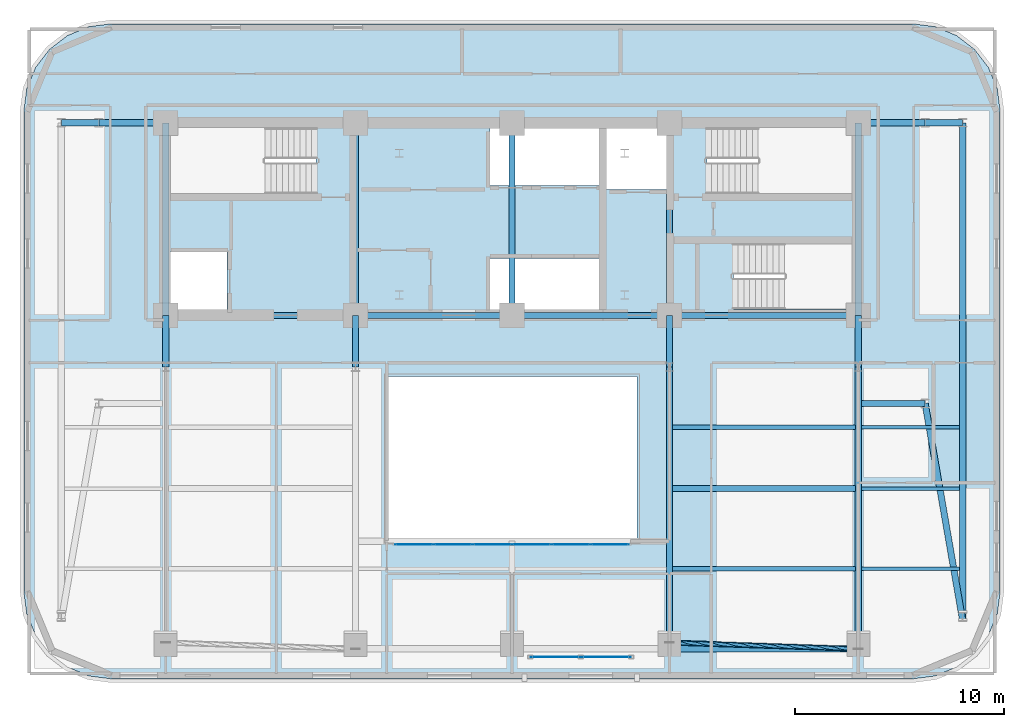
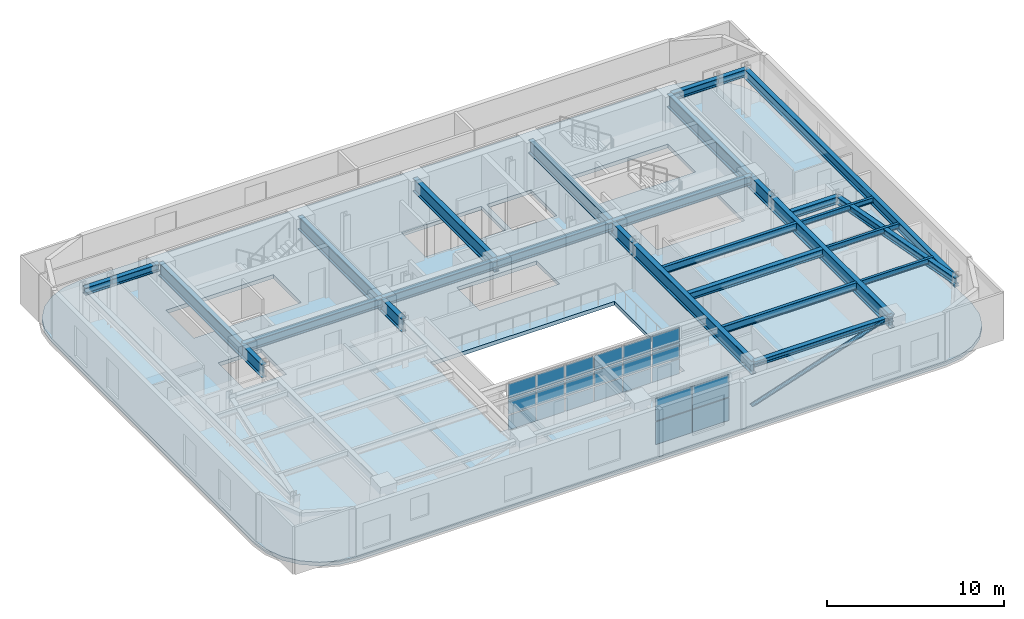
# One storey, part 3 of 12: 29 beams, 22 plates, 1 member, 1 slab, 2 elements without a shape of their own.
"""IFC4 building model written with IfcOpenShell, lengths in metres."""

import ifcopenshell
import ifcopenshell.guid

model = None  # the IFC model being written
_history = None  # IfcOwnerHistory: only IFC2X3 demands one
_inside = {}  # id of a spatial element -> (the spatial element, [elements in it])
_under = {}  # id of a project, library or spatial element -> (it, [spatial elements below it])
_declared = {}  # id of a project -> (the project, [libraries it declares])
_typed = {}  # id of a type object -> (the type object, [elements of that type])
_made_of = {}  # id of a material, layer set ... -> (it, [elements and type objects made of it])


def new_model(schema):
    """Start an empty IFC model of exactly this schema.

    Asked for "IFC4X3", IfcOpenShell would pick the latest addendum, in which some entities
    have other attributes; the version numbers below select the first issue.
    IFC2X3 requires an IfcOwnerHistory on every rooted entity: one is made here for all.
    """
    global model, _history
    if schema == "IFC4X3":
        model = ifcopenshell.file(schema_version=(4, 3, 0, 0))
    else:
        model = ifcopenshell.file(schema=schema)
    _inside.clear()
    _under.clear()
    _declared.clear()
    _typed.clear()
    _made_of.clear()
    _history = None
    if model.schema == "IFC2X3":
        org = make("IfcOrganization", Name="unknown")
        user = make(
            "IfcPersonAndOrganization",
            ThePerson=make("IfcPerson", FamilyName="unknown"),
            TheOrganization=org,
        )
        app = make(
            "IfcApplication",
            ApplicationDeveloper=org,
            Version="unknown",
            ApplicationFullName="unknown",
            ApplicationIdentifier="unknown",
        )
        _history = make(
            "IfcOwnerHistory",
            OwningUser=user,
            OwningApplication=app,
            ChangeAction="ADDED",
            CreationDate=0,
        )
    return model


def make(cls, **values):
    """One entity of the class cls with the attributes given. An attribute that is None is left unset."""
    return model.create_entity(
        cls, **{name: value for name, value in values.items() if value is not None}
    )


def rooted(cls, **values):
    """An entity with a GlobalId (a new one), such as an element, a storey or a relation."""
    return make(cls, GlobalId=ifcopenshell.guid.new(), OwnerHistory=_history, **values)


def si_unit(unit_type, name, prefix=None):
    """IfcSIUnit, for example si_unit("LENGTHUNIT", "METRE", prefix="MILLI")."""
    return make("IfcSIUnit", UnitType=unit_type, Prefix=prefix, Name=name)


def assignment(units):
    """IfcUnitAssignment: the units of a project."""
    return None if units is None else make("IfcUnitAssignment", Units=units)


def point(xyz):
    """IfcCartesianPoint."""
    return None if xyz is None else make("IfcCartesianPoint", Coordinates=xyz)


def direction(xyz):
    """IfcDirection."""
    return None if xyz is None else make("IfcDirection", DirectionRatios=xyz)


def frame(location, z_axis=None, x_axis=None):
    """IfcAxis2Placement3D, a coordinate frame: its origin and axes. An axis left out is left unset."""
    return make(
        "IfcAxis2Placement3D",
        Location=point(location),
        Axis=direction(z_axis),
        RefDirection=direction(x_axis),
    )


def frame_2d(location, x_axis=None):
    """IfcAxis2Placement2D, a coordinate frame in the plane: its origin and x axis."""
    return make(
        "IfcAxis2Placement2D", Location=point(location), RefDirection=direction(x_axis)
    )


def origin():
    """The frame at (0, 0, 0) with its axes left unset."""
    return frame((0.0, 0.0, 0.0))


def origin_2d():
    """The frame at (0, 0) in the plane with its x axis left unset."""
    return frame_2d((0.0, 0.0))


def place(relative_to, where):
    """IfcLocalPlacement: puts the frame where relative to a parent placement (None: the world)."""
    return make(
        "IfcLocalPlacement", PlacementRelTo=relative_to, RelativePlacement=where
    )


def context(
    kind, dimensions, precision=None, world=None, true_north=None, identifier=None
):
    """IfcGeometricRepresentationContext, for example the 3D "Model" context."""
    return make(
        "IfcGeometricRepresentationContext",
        ContextIdentifier=identifier,
        ContextType=kind,
        CoordinateSpaceDimension=dimensions,
        Precision=precision,
        WorldCoordinateSystem=world,
        TrueNorth=true_north,
    )


def subcontext(parent, identifier, kind, view, scale=None):
    """IfcGeometricRepresentationSubContext, for example "Body" below "Model"."""
    return make(
        "IfcGeometricRepresentationSubContext",
        ContextIdentifier=identifier,
        ContextType=kind,
        ParentContext=parent,
        TargetScale=scale,
        TargetView=view,
    )


def project(units=None, contexts=None):
    """IfcProject with its units and contexts."""
    return rooted(
        "IfcProject",
        Name="project",
        RepresentationContexts=contexts,
        UnitsInContext=assignment(units),
    )


def spatial(cls, under=None, at=None, **own):
    """A site, building, storey or space (cls), placed at a placement, below another one or the project."""
    s = rooted(cls, ObjectPlacement=at, **own)
    if under is not None:
        _under.setdefault(under.id(), (under, []))[1].append(s)
    return s


def polyline(points):
    """IfcPolyline through the points."""
    return make("IfcPolyline", Points=[point(p) for p in points])


def profile(cls, at=None, kind="AREA", **sizes):
    """A parametric profile (cls). Its sizes go by their IFC names, for example OverallWidth=200.0."""
    return make(cls, ProfileType=kind, Position=at, **sizes)


def rectangle(**sizes):
    """IfcRectangleProfileDef."""
    return profile("IfcRectangleProfileDef", **sizes)


def hollow_circle(**sizes):
    """IfcCircleHollowProfileDef."""
    return profile("IfcCircleHollowProfileDef", **sizes)


def i_section(**sizes):
    """IfcIShapeProfileDef."""
    return profile("IfcIShapeProfileDef", **sizes)


def outline(outer, holes=None, kind="AREA"):
    """IfcArbitraryClosedProfileDef: a profile drawn as a closed curve; with holes, ...WithVoids."""
    if holes is None:
        return make("IfcArbitraryClosedProfileDef", ProfileType=kind, OuterCurve=outer)
    return make(
        "IfcArbitraryProfileDefWithVoids",
        ProfileType=kind,
        OuterCurve=outer,
        InnerCurves=holes,
    )


def extrude(swept, where, along, depth):
    """IfcExtrudedAreaSolid: the profile swept, set in the frame where, extruded along a direction by depth."""
    return make(
        "IfcExtrudedAreaSolid",
        SweptArea=swept,
        Position=where,
        ExtrudedDirection=direction(along),
        Depth=depth,
    )


def shape(context_of_items, identifier, shape_type, items):
    """IfcShapeRepresentation: the items that make up one representation, for example the "Body"."""
    return make(
        "IfcShapeRepresentation",
        ContextOfItems=context_of_items,
        RepresentationIdentifier=identifier,
        RepresentationType=shape_type,
        Items=items,
    )


def material(Name=None, Category=None):
    """IfcMaterial."""
    return make("IfcMaterial", Name=Name, Category=Category)


def layer(
    of_material, thickness, ventilated=None, Name=None, Category=None, Priority=None
):
    """IfcMaterialLayer: one layer of a wall or slab, of a material (None: an air gap)."""
    return make(
        "IfcMaterialLayer",
        Material=of_material,
        LayerThickness=thickness,
        IsVentilated=ventilated,
        Name=Name,
        Category=Category,
        Priority=Priority,
    )


def layer_set(layers, Name=None):
    """IfcMaterialLayerSet."""
    return make("IfcMaterialLayerSet", MaterialLayers=layers, LayerSetName=Name)


def material_profile(
    of_material, cross_section, Name=None, Category=None, Priority=None
):
    """IfcMaterialProfile: a cross section and its material."""
    return make(
        "IfcMaterialProfile",
        Name=Name,
        Material=of_material,
        Profile=cross_section,
        Priority=Priority,
        Category=Category,
    )


def profile_set(profiles, Name=None, composite=None):
    """IfcMaterialProfileSet."""
    return make(
        "IfcMaterialProfileSet",
        Name=Name,
        MaterialProfiles=profiles,
        CompositeProfile=composite,
    )


def made_of(thing, what):
    """Note that an element or type object is made of a material, layer set ...; save() writes the relation."""
    if what is not None:
        _made_of.setdefault(what.id(), (what, []))[1].append(thing)
    return thing


def type_object(cls, material=None, **own):
    """A type object (cls), such as IfcWallType, which elements share."""
    return made_of(rooted(cls, **own), material)


def element(
    cls,
    number,
    at=None,
    inside=None,
    cuts=None,
    type_object=None,
    material=None,
    context=None,
    identifier="Body",
    shape_type=None,
    held_by="IfcProductDefinitionShape",
    body=None,
    shapes=None,
    **own,
):
    """One element of the class cls, such as IfcWall. Its Tag is "e" and its number.

    at: its placement. inside: the storey or other place that contains it. cuts: it is an
    opening in that element (IfcRelVoidsElement). A single representation is given by context,
    identifier, shape_type and body (its items); several are given by shapes. held_by: the class
    of the entity that holds the representations. save() writes the other relations.
    """
    e = rooted(cls, Tag="e%d" % number, ObjectPlacement=at, **own)
    if body is not None:
        shapes = [shape(context, identifier, shape_type, body)]
    if shapes is not None:
        e.Representation = make(held_by, Representations=shapes)
    if inside is not None:
        _inside.setdefault(inside.id(), (inside, []))[1].append(e)
    if cuts is not None:
        rooted(
            "IfcRelVoidsElement", RelatingBuildingElement=cuts, RelatedOpeningElement=e
        )
    if type_object is not None:
        _typed.setdefault(type_object.id(), (type_object, []))[1].append(e)
    return made_of(e, material)


def aggregate(whole, parts):
    """IfcRelAggregates: a whole, such as a stair, and the parts it consists of."""
    return rooted("IfcRelAggregates", RelatingObject=whole, RelatedObjects=parts)


def save(model, path):
    """Write the relations noted so far, then the file.

    IfcRelAggregates (storeys below a building ...), IfcRelContainedInSpatialStructure (elements
    in a storey), IfcRelDefinesByType, IfcRelAssociatesMaterial and IfcRelDeclares: one each for
    every whole, place, type object, material and project.
    """
    for whole, parts in _under.values():
        aggregate(whole, parts)
    for where, things in _inside.values():
        rooted(
            "IfcRelContainedInSpatialStructure",
            RelatedElements=things,
            RelatingStructure=where,
        )
    for kind, things in _typed.values():
        rooted("IfcRelDefinesByType", RelatedObjects=things, RelatingType=kind)
    for what, things in _made_of.values():
        rooted("IfcRelAssociatesMaterial", RelatedObjects=things, RelatingMaterial=what)
    for by, libraries in _declared.values():
        rooted("IfcRelDeclares", RelatingContext=by, RelatedDefinitions=libraries)
    model.write(path)


model = new_model("IFC4")

# Units and contexts
model_context = context("Model", 3, precision=1e-05, world=origin(), true_north=direction((0.0, 1.0)))
body_context = subcontext(model_context, "Body", "Model", "MODEL_VIEW")
ifc_project = project(units=[si_unit("LENGTHUNIT", "METRE"), si_unit("AREAUNIT", "SQUARE_METRE"), si_unit("VOLUMEUNIT", "CUBIC_METRE"), si_unit("PLANEANGLEUNIT", "RADIAN"), si_unit("MASSUNIT", "GRAM", prefix="KILO")], contexts=[model_context])

# Site, building, storey
site_placement = place(None, origin())
site = spatial("IfcSite", under=ifc_project, at=site_placement, CompositionType="ELEMENT")
building_placement = place(site_placement, origin())
building = spatial("IfcBuilding", under=site, at=building_placement, Name="Zarnavel Station Tower", CompositionType="ELEMENT")
storey_placement = place(building_placement, frame((0.0, 0.0, 155.449951171875)))
storey = spatial("IfcBuildingStorey", under=building, at=storey_placement, Name="L42", CompositionType="ELEMENT", Elevation=155.449951171875)

# Member
ifc_material_1 = material(Name="Steel S355J2", Category="steel")
ifc_material_profile_1 = material_profile(ifc_material_1, hollow_circle(Radius=0.122314453125, WallThickness=0.010009765625, at=origin_2d()), Name="CHS244.5x10")
ifc_profile_set_1 = profile_set([ifc_material_profile_1], Name="Steel S355J2")
member_type = type_object("IfcMemberType", Name="DB_EXT_CHS245", PredefinedType="BRACE", material=ifc_profile_set_1)
member_placement = place(storey_placement, frame((36.35009765625, 12.14111328125, 0.0), z_axis=(0.939370056938, -0.030942344867, 0.341506174795), x_axis=(0.032921607344, 0.999457936969, 0.0)))
element("IfcMember", 1, at=member_placement, inside=storey, type_object=member_type, Name="L42 Persian Exterior Diagonal Frame Brace 2", PredefinedType="BRACE", context=body_context, shape_type="SweptSolid", body=[
    extrude(hollow_circle(Radius=0.122314453125, WallThickness=0.010009765625, at=origin_2d()), origin(), (0.0, 0.0, 1.0), 9.6337890625),
])

# Beams
ifc_material_2 = material(Name="Steel S355J2", Category="steel")
ifc_material_profile_2 = material_profile(ifc_material_2, i_section(OverallWidth=0.300048828125, OverallDepth=0.360107421875, WebThickness=0.012451171875, FlangeThickness=0.0224609375, FilletRadius=0.027099609375, at=origin_2d()), Name="HEB360")
ifc_profile_set_2 = profile_set([ifc_material_profile_2], Name="Steel S355J2")
beam_type_1 = type_object("IfcBeamType", Name="EB_HEB360", PredefinedType="SPANDREL", material=ifc_profile_set_2)
beam_1_placement = place(storey_placement, frame((36.35009765625, 11.843017578125, 3.110107421875), z_axis=(1.0, 0.0, 0.0), x_axis=(0.0, 1.0, 0.0)))
element("IfcBeam", 2, at=beam_1_placement, inside=storey, type_object=beam_type_1, Name="L42 South Raked Spandrel 4", PredefinedType="SPANDREL", context=body_context, shape_type="SweptSolid", body=[
    extrude(i_section(OverallWidth=0.300048828125, OverallDepth=0.360107421875, WebThickness=0.012451171875, FlangeThickness=0.0224609375, FilletRadius=0.027099609375, at=origin_2d()), origin(), (0.0, 0.0, 1.0), 9.0498046875),
])
ifc_material_3 = material(Name="Steel S355J2", Category="steel")
ifc_material_profile_3 = material_profile(ifc_material_3, i_section(OverallWidth=0.300048828125, OverallDepth=0.489990234375, WebThickness=0.011962890625, FlangeThickness=0.02294921875, FilletRadius=0.027099609375, at=origin_2d()), Name="HEA500")
ifc_profile_set_3 = profile_set([ifc_material_profile_3], Name="Steel S355J2")
beam_type_2 = type_object("IfcBeamType", Name="FB_HEA500", PredefinedType="BEAM", material=ifc_profile_set_3)
beam_2_placement = place(storey_placement, frame((36.4951171875, 19.521484375, 3.045166015625), z_axis=(1.0, 0.0, 0.0), x_axis=(0.0, 1.0, 0.0)))
element("IfcBeam", 3, at=beam_2_placement, inside=storey, type_object=beam_type_2, Name="L42 East Bay Beam 2", PredefinedType="BEAM", context=body_context, shape_type="SweptSolid", body=[
    extrude(i_section(OverallWidth=0.300048828125, OverallDepth=0.489990234375, WebThickness=0.011962890625, FlangeThickness=0.02294921875, FilletRadius=0.027099609375, at=origin_2d()), origin(), (0.0, 0.0, 1.0), 8.759765625),
])
ifc_material_4 = material(Name="Steel S355J2", Category="steel")
ifc_material_profile_4 = material_profile(ifc_material_4, i_section(OverallWidth=0.199951171875, OverallDepth=0.5, WebThickness=0.01025390625, FlangeThickness=0.01611328125, FilletRadius=0.02099609375, at=origin_2d()), Name="IPE500")
ifc_profile_set_4 = profile_set([ifc_material_profile_4], Name="Steel S355J2")
beam_type_3 = type_object("IfcBeamType", Name="FB_IPE500", PredefinedType="BEAM", material=ifc_profile_set_4)
for number, where, z_axis, x_axis, name in (
    (4, (36.4951171875, 15.68212890625, 3.0400390625), (1.0, 0.0, 0.0), (0.0, 1.0, 0.0), "L42 East Bay Beam 1"),
    (5, (36.4951171875, 22.460693359375, 3.0400390625), (1.0, 0.0, 0.0), (0.0, 1.0, 0.0), "L42 East Bay Beam 3"),
):
    element("IfcBeam", number, at=place(storey_placement, frame(where, z_axis=z_axis, x_axis=x_axis)), inside=storey, type_object=beam_type_3, Name=name, PredefinedType="BEAM", context=body_context, shape_type="SweptSolid", body=[
        extrude(i_section(OverallWidth=0.199951171875, OverallDepth=0.5, WebThickness=0.01025390625, FlangeThickness=0.01611328125, FilletRadius=0.02099609375, at=origin_2d()), origin(), (0.0, 0.0, 1.0), 8.759765625),
    ])
ifc_material_5 = material(Name="Steel S355J2", Category="steel")
ifc_material_profile_5 = material_profile(ifc_material_5, i_section(OverallWidth=0.300048828125, OverallDepth=0.5, WebThickness=0.014404296875, FlangeThickness=0.028076171875, FilletRadius=0.027099609375, at=origin_2d()), Name="HEB500")
ifc_profile_set_5 = profile_set([ifc_material_profile_5], Name="Steel S355J2")
beam_type_4 = type_object("IfcBeamType", Name="FG_HEB500", PredefinedType="USERDEFINED", material=ifc_profile_set_5)
beam_3_placement = place(storey_placement, frame((7.199951171875, 37.050048828125, 3.0400390625), z_axis=(1.0, 0.0, 0.0), x_axis=(0.0, 1.0, 0.0)))
element("IfcBeam", 6, at=beam_3_placement, inside=storey, type_object=beam_type_4, Name="L42 West Wing North Tie 1", ObjectType="GIRDER", PredefinedType="USERDEFINED", context=body_context, shape_type="SweptSolid", body=[
    extrude(i_section(OverallWidth=0.300048828125, OverallDepth=0.5, WebThickness=0.014404296875, FlangeThickness=0.028076171875, FilletRadius=0.027099609375, at=origin_2d()), origin(), (0.0, 0.0, 1.0), 1.800048828125),
])
beam_4_placement = place(storey_placement, frame((9.0, 37.050048828125, 3.0400390625), z_axis=(1.0, 0.0, 0.0), x_axis=(0.0, 1.0, 0.0)))
element("IfcBeam", 7, at=beam_4_placement, inside=storey, type_object=beam_type_4, Name="L42 West Wing North Tie 2", ObjectType="GIRDER", PredefinedType="USERDEFINED", context=body_context, shape_type="SweptSolid", body=[
    extrude(i_section(OverallWidth=0.300048828125, OverallDepth=0.5, WebThickness=0.014404296875, FlangeThickness=0.028076171875, FilletRadius=0.027099609375, at=origin_2d()), origin(), (0.0, 0.0, 1.0), 3.054931640625),
])
for number, where, z_axis, x_axis, name in (
    (8, (45.544921875, 23.60009765625, 3.0400390625), (1.0, 0.0, 0.0), (0.0, 1.0, 0.0), "L42 East Wing South Tie 1"),
    (9, (45.544921875, 37.050048828125, 3.0400390625), (1.0, 0.0, 0.0), (0.0, 1.0, 0.0), "L42 East Wing North Tie 1"),
):
    element("IfcBeam", number, at=place(storey_placement, frame(where, z_axis=z_axis, x_axis=x_axis)), inside=storey, type_object=beam_type_4, Name=name, ObjectType="GIRDER", PredefinedType="USERDEFINED", context=body_context, shape_type="SweptSolid", body=[
        extrude(i_section(OverallWidth=0.300048828125, OverallDepth=0.5, WebThickness=0.014404296875, FlangeThickness=0.028076171875, FilletRadius=0.027099609375, at=origin_2d()), origin(), (0.0, 0.0, 1.0), 3.05517578125),
    ])
beam_5_placement = place(storey_placement, frame((48.60009765625, 23.60009765625, 3.0400390625), z_axis=(0.170544457334, -0.98534998253, 0.0), x_axis=(0.98534998253, 0.170544457334, 0.0)))
element("IfcBeam", 10, at=beam_5_placement, inside=storey, type_object=beam_type_4, Name="L42 East Wing South Tie 2", ObjectType="GIRDER", PredefinedType="USERDEFINED", context=body_context, shape_type="SweptSolid", body=[
    extrude(i_section(OverallWidth=0.300048828125, OverallDepth=0.5, WebThickness=0.014404296875, FlangeThickness=0.028076171875, FilletRadius=0.027099609375, at=origin_2d()), origin(), (0.0, 0.0, 1.0), 10.55322265625),
])
beam_6_placement = place(storey_placement, frame((48.60009765625, 37.050048828125, 3.0400390625), z_axis=(1.0, 0.0, 0.0), x_axis=(0.0, 1.0, 0.0)))
element("IfcBeam", 11, at=beam_6_placement, inside=storey, type_object=beam_type_4, Name="L42 East Wing North Tie 2", ObjectType="GIRDER", PredefinedType="USERDEFINED", context=body_context, shape_type="SweptSolid", body=[
    extrude(i_section(OverallWidth=0.300048828125, OverallDepth=0.5, WebThickness=0.014404296875, FlangeThickness=0.028076171875, FilletRadius=0.027099609375, at=origin_2d()), origin(), (0.0, 0.0, 1.0), 1.7998046875),
])
ifc_material_6 = material(Name="Steel S355J2", Category="steel")
ifc_material_profile_6 = material_profile(ifc_material_6, i_section(OverallWidth=0.300048828125, OverallDepth=0.60009765625, WebThickness=0.015380859375, FlangeThickness=0.030029296875, FilletRadius=0.027099609375, at=origin_2d()), Name="HEB600")
ifc_profile_set_6 = profile_set([ifc_material_profile_6], Name="Steel S355J2")
beam_type_5 = type_object("IfcBeamType", Name="FG_HEB600", PredefinedType="USERDEFINED", material=ifc_profile_set_6)
beam_7_placement = place(storey_placement, frame((12.199951171875, 27.820068359375, 2.989990234375), z_axis=(1.0, 0.0, 0.0), x_axis=(0.0, 1.0, 0.0)))
element("IfcBeam", 12, at=beam_7_placement, inside=storey, type_object=beam_type_5, Name="L42 Core Front Coupling Beam 1", ObjectType="GIRDER", PredefinedType="USERDEFINED", context=body_context, shape_type="SweptSolid", body=[
    extrude(i_section(OverallWidth=0.300048828125, OverallDepth=0.60009765625, WebThickness=0.015380859375, FlangeThickness=0.030029296875, FilletRadius=0.027099609375, at=origin_2d()), origin(), (0.0, 0.0, 1.0), 9.10009765625),
])
beam_8_placement = place(storey_placement, frame((21.300048828125, 27.820068359375, 2.989990234375), z_axis=(1.0, 0.0, 0.0), x_axis=(0.0, 1.0, 0.0)))
element("IfcBeam", 13, at=beam_8_placement, inside=storey, type_object=beam_type_5, Name="L42 Core Front Coupling Beam 2", ObjectType="GIRDER", PredefinedType="USERDEFINED", context=body_context, shape_type="SweptSolid", body=[
    extrude(i_section(OverallWidth=0.300048828125, OverallDepth=0.60009765625, WebThickness=0.015380859375, FlangeThickness=0.030029296875, FilletRadius=0.027099609375, at=origin_2d()), origin(), (0.0, 0.0, 1.0), 7.5),
])
beam_9_placement = place(storey_placement, frame((28.800048828125, 27.820068359375, 2.989990234375), z_axis=(1.0, 0.0, 0.0), x_axis=(0.0, 1.0, 0.0)))
element("IfcBeam", 14, at=beam_9_placement, inside=storey, type_object=beam_type_5, Name="L42 Core Front Coupling Beam 3", ObjectType="GIRDER", PredefinedType="USERDEFINED", context=body_context, shape_type="SweptSolid", body=[
    extrude(i_section(OverallWidth=0.300048828125, OverallDepth=0.60009765625, WebThickness=0.015380859375, FlangeThickness=0.030029296875, FilletRadius=0.027099609375, at=origin_2d()), origin(), (0.0, 0.0, 1.0), 7.550048828125),
])
beam_10_placement = place(storey_placement, frame((36.35009765625, 27.820068359375, 2.989990234375), z_axis=(1.0, 0.0, 0.0), x_axis=(0.0, 1.0, 0.0)))
element("IfcBeam", 15, at=beam_10_placement, inside=storey, type_object=beam_type_5, Name="L42 Core Front Coupling Beam 4", ObjectType="GIRDER", PredefinedType="USERDEFINED", context=body_context, shape_type="SweptSolid", body=[
    extrude(i_section(OverallWidth=0.300048828125, OverallDepth=0.60009765625, WebThickness=0.015380859375, FlangeThickness=0.030029296875, FilletRadius=0.027099609375, at=origin_2d()), origin(), (0.0, 0.0, 1.0), 9.0498046875),
])
ifc_material_7 = material(Name="Steel S355J2", Category="steel")
ifc_material_profile_7 = material_profile(ifc_material_7, i_section(OverallWidth=0.300048828125, OverallDepth=0.64990234375, WebThickness=0.01611328125, FlangeThickness=0.031005859375, FilletRadius=0.027099609375, at=origin_2d()), Name="HEB650")
ifc_profile_set_7 = profile_set([ifc_material_profile_7], Name="Steel S355J2")
beam_type_6 = type_object("IfcBeamType", Name="FG_HEB650", PredefinedType="USERDEFINED", material=ifc_profile_set_7)
beam_11_placement = place(storey_placement, frame((50.39990234375, 13.201416015625, 2.965087890625), z_axis=(0.0, 1.0, 0.0), x_axis=(-1.0, 0.0, 0.0)))
element("IfcBeam", 16, at=beam_11_placement, inside=storey, type_object=beam_type_6, Name="L42 Wing NS Girder 2", ObjectType="GIRDER", PredefinedType="USERDEFINED", context=body_context, shape_type="SweptSolid", body=[
    extrude(i_section(OverallWidth=0.300048828125, OverallDepth=0.64990234375, WebThickness=0.01611328125, FlangeThickness=0.031005859375, FilletRadius=0.027099609375, at=origin_2d()), origin(), (0.0, 0.0, 1.0), 23.8486328125),
])
ifc_material_8 = material(Name="Steel S355J2", Category="steel")
ifc_material_profile_8 = material_profile(ifc_material_8, i_section(OverallWidth=0.169921875, OverallDepth=0.360107421875, WebThickness=0.008056640625, FlangeThickness=0.0126953125, FilletRadius=0.01806640625, at=origin_2d()), Name="IPE360")
ifc_profile_set_8 = profile_set([ifc_material_profile_8], Name="Steel S355J2")
beam_type_7 = type_object("IfcBeamType", Name="FJ_IPE360", PredefinedType="JOIST", material=ifc_profile_set_8)
for number, where, z_axis, x_axis, name in (
    (17, (45.544921875, 15.68212890625, 3.110107421875), (1.0, 0.0, 0.0), (0.0, 1.0, 0.0), "L42 East Wing Joist 1"),
    (18, (45.544921875, 19.521484375, 3.110107421875), (1.0, 0.0, 0.0), (0.0, 1.0, 0.0), "L42 East Wing Joist 2"),
    (19, (45.544921875, 22.460693359375, 3.110107421875), (1.0, 0.0, 0.0), (0.0, 1.0, 0.0), "L42 East Wing Joist 3"),
):
    element("IfcBeam", number, at=place(storey_placement, frame(where, z_axis=z_axis, x_axis=x_axis)), inside=storey, type_object=beam_type_7, Name=name, PredefinedType="JOIST", context=body_context, shape_type="SweptSolid", body=[
        extrude(i_section(OverallWidth=0.169921875, OverallDepth=0.360107421875, WebThickness=0.008056640625, FlangeThickness=0.0126953125, FilletRadius=0.01806640625, at=origin_2d()), origin(), (0.0, 0.0, 1.0), 4.7099609375),
    ])
ifc_material_9 = material(Name="Steel S460M", Category="steel")
ifc_material_profile_9 = material_profile(ifc_material_9, i_section(OverallWidth=0.302001953125, OverallDepth=0.909912109375, WebThickness=0.02099609375, FlangeThickness=0.0400390625, FilletRadius=0.030029296875, at=origin_2d()), Name="HEM900")
ifc_profile_set_9 = profile_set([ifc_material_profile_9], Name="Steel S460M")
beam_type_8 = type_object("IfcBeamType", Name="TG_HEM900", PredefinedType="USERDEFINED", material=ifc_profile_set_9)
for number, where, z_axis, x_axis, name in (
    (20, (12.199951171875, 27.820068359375, 2.8349609375), (0.0, 1.0, 0.0), (-1.0, 0.0, 0.0), "L42 Core Spine Coupling Girder 1"),
    (21, (21.300048828125, 27.820068359375, 2.8349609375), (0.0, 1.0, 0.0), (-1.0, 0.0, 0.0), "L42 Core Spine Coupling Girder 2"),
    (22, (28.800048828125, 27.820068359375, 2.8349609375), (0.0, 1.0, 0.0), (-1.0, 0.0, 0.0), "L42 Core Spine Coupling Girder 3"),
    (23, (36.35009765625, 27.820068359375, 2.8349609375), (0.0, 1.0, 0.0), (-1.0, 0.0, 0.0), "L42 Core Spine Coupling Girder 4"),
    (24, (45.39990234375, 27.820068359375, 2.8349609375), (0.0, 1.0, 0.0), (-1.0, 0.0, 0.0), "L42 Core Spine Coupling Girder 5"),
):
    element("IfcBeam", number, at=place(storey_placement, frame(where, z_axis=z_axis, x_axis=x_axis)), inside=storey, type_object=beam_type_8, Name=name, ObjectType="GIRDER", PredefinedType="USERDEFINED", context=body_context, shape_type="SweptSolid", body=[
        extrude(i_section(OverallWidth=0.302001953125, OverallDepth=0.909912109375, WebThickness=0.02099609375, FlangeThickness=0.0400390625, FilletRadius=0.030029296875, at=origin_2d()), origin(), (0.0, 0.0, 1.0), 9.22998046875),
    ])
for number, where, z_axis, x_axis, name in (
    (25, (12.199951171875, 25.35009765625, 2.8349609375), (0.0, 1.0, 0.0), (-1.0, 0.0, 0.0), "L42 Inner-Zone NS Girder 1"),
    (26, (21.300048828125, 25.35009765625, 2.8349609375), (0.0, 1.0, 0.0), (-1.0, 0.0, 0.0), "L42 Inner-Zone NS Girder 2"),
):
    element("IfcBeam", number, at=place(storey_placement, frame(where, z_axis=z_axis, x_axis=x_axis)), inside=storey, type_object=beam_type_8, Name=name, ObjectType="GIRDER", PredefinedType="USERDEFINED", context=body_context, shape_type="SweptSolid", body=[
        extrude(i_section(OverallWidth=0.302001953125, OverallDepth=0.909912109375, WebThickness=0.02099609375, FlangeThickness=0.0400390625, FilletRadius=0.030029296875, at=origin_2d()), origin(), (0.0, 0.0, 1.0), 2.469970703125),
    ])
beam_12_placement = place(storey_placement, frame((36.35009765625, 11.843017578125, 2.8349609375), z_axis=(0.0, 1.0, 0.0), x_axis=(-1.0, 0.0, 0.0)))
element("IfcBeam", 27, at=beam_12_placement, inside=storey, type_object=beam_type_8, Name="L42 South-Zone NS Girder 4", ObjectType="GIRDER", PredefinedType="USERDEFINED", context=body_context, shape_type="SweptSolid", body=[
    extrude(i_section(OverallWidth=0.302001953125, OverallDepth=0.909912109375, WebThickness=0.02099609375, FlangeThickness=0.0400390625, FilletRadius=0.030029296875, at=origin_2d()), origin(), (0.0, 0.0, 1.0), 13.507080078125),
])
beam_13_placement = place(storey_placement, frame((36.35009765625, 25.35009765625, 2.8349609375), z_axis=(0.0, 1.0, 0.0), x_axis=(-1.0, 0.0, 0.0)))
element("IfcBeam", 28, at=beam_13_placement, inside=storey, type_object=beam_type_8, Name="L42 Inner-Zone NS Girder 4", ObjectType="GIRDER", PredefinedType="USERDEFINED", context=body_context, shape_type="SweptSolid", body=[
    extrude(i_section(OverallWidth=0.302001953125, OverallDepth=0.909912109375, WebThickness=0.02099609375, FlangeThickness=0.0400390625, FilletRadius=0.030029296875, at=origin_2d()), origin(), (0.0, 0.0, 1.0), 2.469970703125),
])
beam_14_placement = place(storey_placement, frame((45.39990234375, 11.843017578125, 2.8349609375), z_axis=(0.0, 1.0, 0.0), x_axis=(-1.0, 0.0, 0.0)))
element("IfcBeam", 29, at=beam_14_placement, inside=storey, type_object=beam_type_8, Name="L42 South-Zone NS Girder 5", ObjectType="GIRDER", PredefinedType="USERDEFINED", context=body_context, shape_type="SweptSolid", body=[
    extrude(i_section(OverallWidth=0.302001953125, OverallDepth=0.909912109375, WebThickness=0.02099609375, FlangeThickness=0.0400390625, FilletRadius=0.030029296875, at=origin_2d()), origin(), (0.0, 0.0, 1.0), 13.507080078125),
])
beam_15_placement = place(storey_placement, frame((45.39990234375, 25.35009765625, 2.8349609375), z_axis=(0.0, 1.0, 0.0), x_axis=(-1.0, 0.0, 0.0)))
element("IfcBeam", 30, at=beam_15_placement, inside=storey, type_object=beam_type_8, Name="L42 Inner-Zone NS Girder 5", ObjectType="GIRDER", PredefinedType="USERDEFINED", context=body_context, shape_type="SweptSolid", body=[
    extrude(i_section(OverallWidth=0.302001953125, OverallDepth=0.909912109375, WebThickness=0.02099609375, FlangeThickness=0.0400390625, FilletRadius=0.030029296875, at=origin_2d()), origin(), (0.0, 0.0, 1.0), 2.469970703125),
])

# Curtain wall, plates
ifc_material_10 = material(Name="Aluminium Dark Anodised and Solar-Control Glass", Category="aluminium")
ifc_layer_1 = layer(ifc_material_10, 0.179931640625)
ifc_layer_set_1 = layer_set([ifc_layer_1], Name="CWS4")
curtain_wall_type_1 = type_object("IfcCurtainWallType", Name="CWS4", PredefinedType="NOTDEFINED", material=ifc_layer_set_1)
curtain_wall_1_placement = place(storey_placement, origin())
curtain_wall_1 = element("IfcCurtainWall", 31, at=curtain_wall_1_placement, inside=storey, type_object=curtain_wall_type_1, Name="L42 Curtain Wall CWS4-L42-AS", PredefinedType="NOTDEFINED")
ifc_material_11 = material(Name="Double Low-E Dark Solar-Control Glass", Category="glass")
ifc_layer_2 = layer(ifc_material_11, 0.031982421875)
ifc_layer_set_2 = layer_set([ifc_layer_2], Name="CWS4_PNL")
plate_type_1 = type_object("IfcPlateType", Name="CWS4_PNL", PredefinedType="CURTAIN_PANEL", material=ifc_layer_set_2)
plate_1_placement = place(storey_placement, frame((24.106689453125, 16.85009765625, 0.06005859375), z_axis=(0.0, 0.0, 1.0), x_axis=(1.0, 0.0, 0.0)))
plate_1 = element("IfcPlate", 32, at=plate_1_placement, type_object=plate_type_1, Name="CW4 panel 1.1", PredefinedType="CURTAIN_PANEL", context=body_context, shape_type="SweptSolid", body=[
    extrude(rectangle(XDim=1.793212890625, YDim=0.028076171875, at=origin_2d()), origin(), (0.0, 0.0, 1.0), 1.006591796875),
])
plate_2_placement = place(storey_placement, frame((24.106689453125, 16.85009765625, 1.126708984375), z_axis=(0.0, 0.0, 1.0), x_axis=(1.0, 0.0, 0.0)))
plate_2 = element("IfcPlate", 33, at=plate_2_placement, type_object=plate_type_1, Name="CW4 panel 1.2", PredefinedType="CURTAIN_PANEL", context=body_context, shape_type="SweptSolid", body=[
    extrude(rectangle(XDim=1.793212890625, YDim=0.028076171875, at=origin_2d()), origin(), (0.0, 0.0, 1.0), 1.03662109375),
])
plate_3_placement = place(storey_placement, frame((24.106689453125, 16.85009765625, 2.2236328125), z_axis=(0.0, 0.0, 1.0), x_axis=(1.0, 0.0, 0.0)))
plate_3 = element("IfcPlate", 34, at=plate_3_placement, type_object=plate_type_1, Name="CW4 panel 1.3", PredefinedType="CURTAIN_PANEL", context=body_context, shape_type="SweptSolid", body=[
    extrude(rectangle(XDim=1.793212890625, YDim=0.028076171875, at=origin_2d()), origin(), (0.0, 0.0, 1.0), 1.006591796875),
])
plate_4_placement = place(storey_placement, frame((25.97509765625, 16.85009765625, 0.06005859375), z_axis=(0.0, 0.0, 1.0), x_axis=(1.0, 0.0, 0.0)))
plate_4 = element("IfcPlate", 35, at=plate_4_placement, type_object=plate_type_1, Name="CW4 panel 2.1", PredefinedType="CURTAIN_PANEL", context=body_context, shape_type="SweptSolid", body=[
    extrude(rectangle(XDim=1.8232421875, YDim=0.028076171875, at=origin_2d()), origin(), (0.0, 0.0, 1.0), 1.006591796875),
])
plate_5_placement = place(storey_placement, frame((25.97509765625, 16.85009765625, 1.126708984375), z_axis=(0.0, 0.0, 1.0), x_axis=(1.0, 0.0, 0.0)))
plate_5 = element("IfcPlate", 36, at=plate_5_placement, type_object=plate_type_1, Name="CW4 panel 2.2", PredefinedType="CURTAIN_PANEL", context=body_context, shape_type="SweptSolid", body=[
    extrude(rectangle(XDim=1.8232421875, YDim=0.028076171875, at=origin_2d()), origin(), (0.0, 0.0, 1.0), 1.03662109375),
])
plate_6_placement = place(storey_placement, frame((25.97509765625, 16.85009765625, 2.2236328125), z_axis=(0.0, 0.0, 1.0), x_axis=(1.0, 0.0, 0.0)))
plate_6 = element("IfcPlate", 37, at=plate_6_placement, type_object=plate_type_1, Name="CW4 panel 2.3", PredefinedType="CURTAIN_PANEL", context=body_context, shape_type="SweptSolid", body=[
    extrude(rectangle(XDim=1.8232421875, YDim=0.028076171875, at=origin_2d()), origin(), (0.0, 0.0, 1.0), 1.006591796875),
])
plate_7_placement = place(storey_placement, frame((27.8583984375, 16.85009765625, 0.06005859375), z_axis=(0.0, 0.0, 1.0), x_axis=(1.0, 0.0, 0.0)))
plate_7 = element("IfcPlate", 38, at=plate_7_placement, type_object=plate_type_1, Name="CW4 panel 3.1", PredefinedType="CURTAIN_PANEL", context=body_context, shape_type="SweptSolid", body=[
    extrude(rectangle(XDim=1.8232421875, YDim=0.028076171875, at=origin_2d()), origin(), (0.0, 0.0, 1.0), 1.006591796875),
])
plate_8_placement = place(storey_placement, frame((27.8583984375, 16.85009765625, 1.126708984375), z_axis=(0.0, 0.0, 1.0), x_axis=(1.0, 0.0, 0.0)))
plate_8 = element("IfcPlate", 39, at=plate_8_placement, type_object=plate_type_1, Name="CW4 panel 3.2", PredefinedType="CURTAIN_PANEL", context=body_context, shape_type="SweptSolid", body=[
    extrude(rectangle(XDim=1.8232421875, YDim=0.028076171875, at=origin_2d()), origin(), (0.0, 0.0, 1.0), 1.03662109375),
])
plate_9_placement = place(storey_placement, frame((27.8583984375, 16.85009765625, 2.2236328125), z_axis=(0.0, 0.0, 1.0), x_axis=(1.0, 0.0, 0.0)))
plate_9 = element("IfcPlate", 40, at=plate_9_placement, type_object=plate_type_1, Name="CW4 panel 3.3", PredefinedType="CURTAIN_PANEL", context=body_context, shape_type="SweptSolid", body=[
    extrude(rectangle(XDim=1.8232421875, YDim=0.028076171875, at=origin_2d()), origin(), (0.0, 0.0, 1.0), 1.006591796875),
])
plate_10_placement = place(storey_placement, frame((29.74169921875, 16.85009765625, 0.06005859375), z_axis=(0.0, 0.0, 1.0), x_axis=(1.0, 0.0, 0.0)))
plate_10 = element("IfcPlate", 41, at=plate_10_placement, type_object=plate_type_1, Name="CW4 panel 4.1", PredefinedType="CURTAIN_PANEL", context=body_context, shape_type="SweptSolid", body=[
    extrude(rectangle(XDim=1.8232421875, YDim=0.028076171875, at=origin_2d()), origin(), (0.0, 0.0, 1.0), 1.006591796875),
])
plate_11_placement = place(storey_placement, frame((29.74169921875, 16.85009765625, 1.126708984375), z_axis=(0.0, 0.0, 1.0), x_axis=(1.0, 0.0, 0.0)))
plate_11 = element("IfcPlate", 42, at=plate_11_placement, type_object=plate_type_1, Name="CW4 panel 4.2", PredefinedType="CURTAIN_PANEL", context=body_context, shape_type="SweptSolid", body=[
    extrude(rectangle(XDim=1.8232421875, YDim=0.028076171875, at=origin_2d()), origin(), (0.0, 0.0, 1.0), 1.03662109375),
])
plate_12_placement = place(storey_placement, frame((29.74169921875, 16.85009765625, 2.2236328125), z_axis=(0.0, 0.0, 1.0), x_axis=(1.0, 0.0, 0.0)))
plate_12 = element("IfcPlate", 43, at=plate_12_placement, type_object=plate_type_1, Name="CW4 panel 4.3", PredefinedType="CURTAIN_PANEL", context=body_context, shape_type="SweptSolid", body=[
    extrude(rectangle(XDim=1.8232421875, YDim=0.028076171875, at=origin_2d()), origin(), (0.0, 0.0, 1.0), 1.006591796875),
])
plate_13_placement = place(storey_placement, frame((31.625, 16.85009765625, 0.06005859375), z_axis=(0.0, 0.0, 1.0), x_axis=(1.0, 0.0, 0.0)))
plate_13 = element("IfcPlate", 44, at=plate_13_placement, type_object=plate_type_1, Name="CW4 panel 5.1", PredefinedType="CURTAIN_PANEL", context=body_context, shape_type="SweptSolid", body=[
    extrude(rectangle(XDim=1.8232421875, YDim=0.028076171875, at=origin_2d()), origin(), (0.0, 0.0, 1.0), 1.006591796875),
])
plate_14_placement = place(storey_placement, frame((31.625, 16.85009765625, 1.126708984375), z_axis=(0.0, 0.0, 1.0), x_axis=(1.0, 0.0, 0.0)))
plate_14 = element("IfcPlate", 45, at=plate_14_placement, type_object=plate_type_1, Name="CW4 panel 5.2", PredefinedType="CURTAIN_PANEL", context=body_context, shape_type="SweptSolid", body=[
    extrude(rectangle(XDim=1.8232421875, YDim=0.028076171875, at=origin_2d()), origin(), (0.0, 0.0, 1.0), 1.03662109375),
])
plate_15_placement = place(storey_placement, frame((31.625, 16.85009765625, 2.2236328125), z_axis=(0.0, 0.0, 1.0), x_axis=(1.0, 0.0, 0.0)))
plate_15 = element("IfcPlate", 46, at=plate_15_placement, type_object=plate_type_1, Name="CW4 panel 5.3", PredefinedType="CURTAIN_PANEL", context=body_context, shape_type="SweptSolid", body=[
    extrude(rectangle(XDim=1.8232421875, YDim=0.028076171875, at=origin_2d()), origin(), (0.0, 0.0, 1.0), 1.006591796875),
])
plate_16_placement = place(storey_placement, frame((33.493408203125, 16.85009765625, 0.06005859375), z_axis=(0.0, 0.0, 1.0), x_axis=(1.0, 0.0, 0.0)))
plate_16 = element("IfcPlate", 47, at=plate_16_placement, type_object=plate_type_1, Name="CW4 panel 6.1", PredefinedType="CURTAIN_PANEL", context=body_context, shape_type="SweptSolid", body=[
    extrude(rectangle(XDim=1.793212890625, YDim=0.028076171875, at=origin_2d()), origin(), (0.0, 0.0, 1.0), 1.006591796875),
])
plate_17_placement = place(storey_placement, frame((33.493408203125, 16.85009765625, 1.126708984375), z_axis=(0.0, 0.0, 1.0), x_axis=(1.0, 0.0, 0.0)))
plate_17 = element("IfcPlate", 48, at=plate_17_placement, type_object=plate_type_1, Name="CW4 panel 6.2", PredefinedType="CURTAIN_PANEL", context=body_context, shape_type="SweptSolid", body=[
    extrude(rectangle(XDim=1.793212890625, YDim=0.028076171875, at=origin_2d()), origin(), (0.0, 0.0, 1.0), 1.03662109375),
])
plate_18_placement = place(storey_placement, frame((33.493408203125, 16.85009765625, 2.2236328125), z_axis=(0.0, 0.0, 1.0), x_axis=(1.0, 0.0, 0.0)))
plate_18 = element("IfcPlate", 49, at=plate_18_placement, type_object=plate_type_1, Name="CW4 panel 6.3", PredefinedType="CURTAIN_PANEL", context=body_context, shape_type="SweptSolid", body=[
    extrude(rectangle(XDim=1.793212890625, YDim=0.028076171875, at=origin_2d()), origin(), (0.0, 0.0, 1.0), 1.006591796875),
])
aggregate(curtain_wall_1, [plate_1, plate_2, plate_3, plate_4, plate_5, plate_6, plate_7, plate_8, plate_9, plate_10, plate_11, plate_12, plate_13, plate_14, plate_15, plate_16, plate_17, plate_18])

ifc_material_12 = material(Name="Aluminium Dark Anodised and Solar-Control Glass", Category="aluminium")
ifc_layer_3 = layer(ifc_material_12, 0.179931640625)
ifc_layer_set_3 = layer_set([ifc_layer_3], Name="CWS6")
curtain_wall_type_2 = type_object("IfcCurtainWallType", Name="CWS6", PredefinedType="NOTDEFINED", material=ifc_layer_set_3)
curtain_wall_2_placement = place(storey_placement, origin())
curtain_wall_2 = element("IfcCurtainWall", 50, at=curtain_wall_2_placement, inside=storey, type_object=curtain_wall_type_2, Name="L42 Curtain Wall CWS6-LOG-L42", PredefinedType="NOTDEFINED")
ifc_material_13 = material(Name="Double Low-E Dark Solar-Control Glass", Category="glass")
ifc_layer_4 = layer(ifc_material_13, 0.0380859375)
ifc_layer_set_4 = layer_set([ifc_layer_4], Name="CWS6_PNL")
plate_type_2 = type_object("IfcPlateType", Name="CWS6_PNL", PredefinedType="CURTAIN_PANEL", material=ifc_layer_set_4)
plate_19_placement = place(storey_placement, frame((30.889892578125, 11.449951171875, 0.06005859375), z_axis=(0.0, 0.0, 1.0), x_axis=(1.0, 0.0, 0.0)))
plate_19 = element("IfcPlate", 51, at=plate_19_placement, type_object=plate_type_2, Name="CW6 panel 1.1", PredefinedType="CURTAIN_PANEL", context=body_context, shape_type="SweptSolid", body=[
    extrude(rectangle(XDim=2.360107421875, YDim=0.028076171875, at=origin_2d()), origin(), (0.0, 0.0, 1.0), 1.554931640625),
])
plate_20_placement = place(storey_placement, frame((30.889892578125, 11.449951171875, 1.67529296875), z_axis=(0.0, 0.0, 1.0), x_axis=(1.0, 0.0, 0.0)))
plate_20 = element("IfcPlate", 52, at=plate_20_placement, type_object=plate_type_2, Name="CW6 panel 1.2", PredefinedType="CURTAIN_PANEL", context=body_context, shape_type="SweptSolid", body=[
    extrude(rectangle(XDim=2.360107421875, YDim=0.028076171875, at=origin_2d()), origin(), (0.0, 0.0, 1.0), 1.554931640625),
])
plate_21_placement = place(storey_placement, frame((33.31005859375, 11.449951171875, 0.06005859375), z_axis=(0.0, 0.0, 1.0), x_axis=(1.0, 0.0, 0.0)))
plate_21 = element("IfcPlate", 53, at=plate_21_placement, type_object=plate_type_2, Name="CW6 panel 2.1", PredefinedType="CURTAIN_PANEL", context=body_context, shape_type="SweptSolid", body=[
    extrude(rectangle(XDim=2.360107421875, YDim=0.028076171875, at=origin_2d()), origin(), (0.0, 0.0, 1.0), 1.554931640625),
])
plate_22_placement = place(storey_placement, frame((33.31005859375, 11.449951171875, 1.67529296875), z_axis=(0.0, 0.0, 1.0), x_axis=(1.0, 0.0, 0.0)))
plate_22 = element("IfcPlate", 54, at=plate_22_placement, type_object=plate_type_2, Name="CW6 panel 2.2", PredefinedType="CURTAIN_PANEL", context=body_context, shape_type="SweptSolid", body=[
    extrude(rectangle(XDim=2.360107421875, YDim=0.028076171875, at=origin_2d()), origin(), (0.0, 0.0, 1.0), 1.554931640625),
])
aggregate(curtain_wall_2, [plate_19, plate_20, plate_21, plate_22])

# Slab
ifc_material_14 = material(Name="Concrete C45/55", Category="concrete")
ifc_layer_5 = layer(ifc_material_14, 0.260009765625)
ifc_layer_set_5 = layer_set([ifc_layer_5], Name="SL_FLR_260")
slab_type = type_object("IfcSlabType", Name="SL_FLR_260", PredefinedType="FLOOR", material=ifc_layer_set_5)
slab_placement = place(storey_placement, frame((0.0, 0.0, -0.260009765625)))
element("IfcSlab", 55, at=slab_placement, inside=storey, type_object=slab_type, Name="L42 Structural Floor Slab", PredefinedType="FLOOR", context=body_context, shape_type="SweptSolid", body=[
    extrude(outline(polyline([(48.0, 10.39990234375), (49.0869140625, 10.543212890625), (50.10009765625, 10.962646484375), (50.9697265625, 11.630126953125), (51.63720703125, 12.5), (52.056884765625, 13.512939453125), (52.199951171875, 14.60009765625), (52.199951171875, 37.60009765625), (52.056884765625, 38.68701171875), (51.63720703125, 39.699951171875), (50.9697265625, 40.56982421875), (50.10009765625, 41.2373046875), (49.0869140625, 41.656982421875), (48.0, 41.800048828125), (9.60009765625, 41.800048828125), (8.512939453125, 41.656982421875), (7.5, 41.2373046875), (6.630126953125, 40.56982421875), (5.962646484375, 39.699951171875), (5.543212890625, 38.68701171875), (5.39990234375, 37.60009765625), (5.39990234375, 14.60009765625), (5.543212890625, 13.512939453125), (5.962646484375, 12.5), (6.630126953125, 11.630126953125), (7.5, 10.962646484375), (8.512939453125, 10.543212890625), (9.60009765625, 10.39990234375), (48.0, 10.39990234375)]), holes=[polyline([(12.39990234375, 33.659912109375), (19.409912109375, 33.659912109375), (19.409912109375, 36.820068359375), (12.39990234375, 36.820068359375), (12.39990234375, 33.659912109375)]), polyline([(38.14990234375, 33.659912109375), (45.159912109375, 33.659912109375), (45.159912109375, 36.820068359375), (38.14990234375, 36.820068359375), (38.14990234375, 33.659912109375)]), polyline([(39.419921875, 28.1201171875), (45.14990234375, 28.1201171875), (45.14990234375, 31.280029296875), (39.419921875, 31.280029296875), (39.419921875, 28.1201171875)]), polyline([(12.35009765625, 27.949951171875), (15.14990234375, 27.949951171875), (15.14990234375, 30.85009765625), (12.35009765625, 30.85009765625), (12.35009765625, 27.949951171875)]), polyline([(33.320068359375, 33.85009765625), (36.2099609375, 33.85009765625), (36.2099609375, 36.780029296875), (33.320068359375, 36.780029296875), (33.320068359375, 33.85009765625)]), polyline([(27.75, 34.050048828125), (32.97998046875, 34.050048828125), (32.97998046875, 36.780029296875), (27.75, 36.780029296875), (27.75, 34.050048828125)]), polyline([(27.75, 27.949951171875), (32.97998046875, 27.949951171875), (32.97998046875, 30.550048828125), (27.75, 30.550048828125), (27.75, 27.949951171875)]), polyline([(22.800048828125, 17.0), (34.800048828125, 17.0), (34.800048828125, 24.89990234375), (22.800048828125, 24.89990234375), (22.800048828125, 17.0)])]), origin(), (0.0, 0.0, 1.0), 0.260009765625),
])

save(model, "model.ifc")
